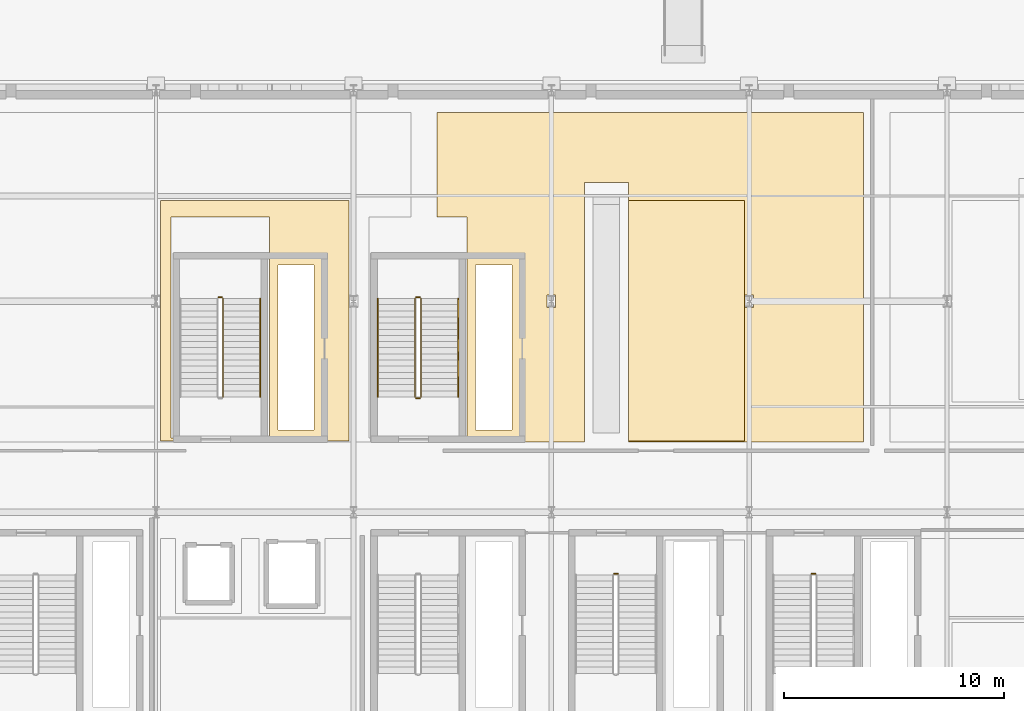
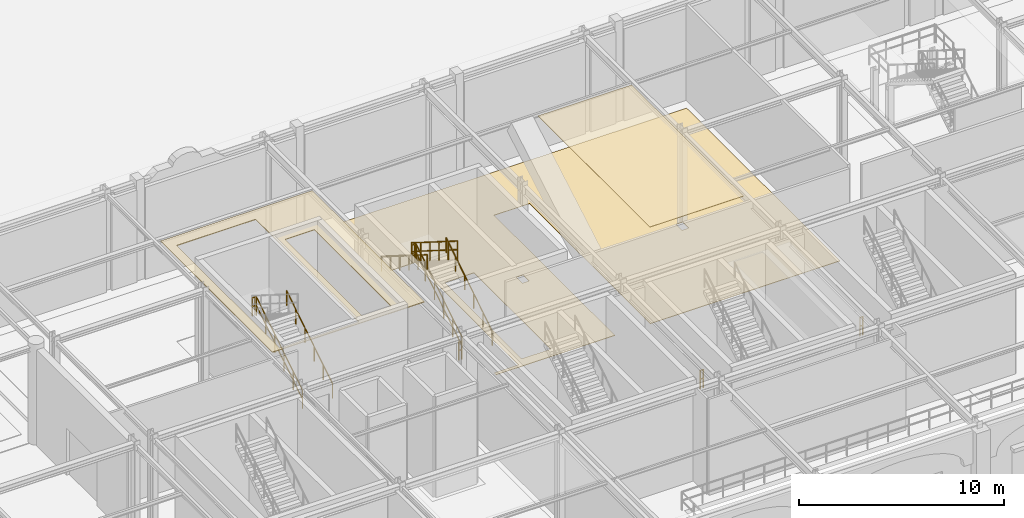
# One storey, part 101 of 113: 11 railings, 3 coverings.
"""IFC4 building model written with IfcOpenShell, lengths in metres."""

from ifc_helpers import new_model, si_unit, direction, frame, origin, origin_2d, place, context, subcontext, project, spatial, polyline, rectangle, outline, extrude, material, layer, layer_set, type_object, element, save


model = new_model("IFC4")

# Units and contexts
model_context = context("Model", 3, precision=1e-05, world=origin(), true_north=direction((0.0, 1.0)))
body_context = subcontext(model_context, "Body", "Model", "MODEL_VIEW")
ifc_project = project(units=[si_unit("LENGTHUNIT", "METRE"), si_unit("AREAUNIT", "SQUARE_METRE"), si_unit("VOLUMEUNIT", "CUBIC_METRE"), si_unit("PLANEANGLEUNIT", "RADIAN"), si_unit("MASSUNIT", "GRAM", prefix="KILO")], contexts=[model_context])

# Site, building, storey
site_placement = place(None, origin())
site = spatial("IfcSite", under=ifc_project, at=site_placement, CompositionType="ELEMENT")
building_placement = place(site_placement, origin())
building = spatial("IfcBuilding", under=site, at=building_placement, Name="Myrtia Square Station", CompositionType="ELEMENT")
storey_placement = place(building_placement, origin())
storey = spatial("IfcBuildingStorey", under=building, at=storey_placement, Name="L00", CompositionType="ELEMENT", Elevation=0.0)

# Coverings
ifc_material_1 = material(Name="Gypsum plasterboard")
ifc_layer_1 = layer(ifc_material_1, 0.034912109375, Name="Gypsum plasterboard")
ifc_layer_set_1 = layer_set([ifc_layer_1], Name="Gypsum plasterboard")
covering_type_1 = type_object("IfcCoveringType", Name="COV-CEIL-ACOUSTIC", PredefinedType="CEILING", material=ifc_layer_set_1)
covering_1_placement = place(storey_placement, frame((0.0, 0.0, 5.715087890625)))
element("IfcCovering", 1, at=covering_1_placement, inside=storey, type_object=covering_type_1, Name="Acoustic coffer ceiling L00-10", PredefinedType="CEILING", context=body_context, shape_type="SweptSolid", body=[
    extrude(outline(polyline([(147.5, 22.449951171875), (147.5, 33.3798828125), (152.780029296875, 33.3798828125), (152.780029296875, 28.85009765625), (152.781005859375, 28.828369140625), (152.7841796875, 28.80712890625), (152.785888671875, 28.800048828125), (152.7841796875, 28.79296875), (152.781005859375, 28.771484375), (152.780029296875, 28.75), (152.780029296875, 22.449951171875), (147.5, 22.449951171875)])), origin(), (0.0, 0.0, 1.0), 0.034912109375),
])
ifc_material_2 = material(Name="Acoustic European oak timber", Category="wood")
ifc_layer_2 = layer(ifc_material_2, 0.044921875, Name="Acoustic European oak timber")
ifc_layer_set_2 = layer_set([ifc_layer_2], Name="Acoustic European oak timber")
covering_type_2 = type_object("IfcCoveringType", Name="COV-CEIL-OAK", PredefinedType="CEILING", material=ifc_layer_set_2)
covering_2_placement = place(storey_placement, frame((0.0, 0.0, 5.705078125)))
element("IfcCovering", 2, at=covering_2_placement, inside=storey, type_object=covering_type_2, Name="Acoustic coffer ceiling L00-09", PredefinedType="CEILING", context=body_context, shape_type="SweptSolid", body=[
    extrude(outline(polyline([(126.219970703125, 22.449951171875), (126.219970703125, 28.75), (126.218994140625, 28.771484375), (126.2158203125, 28.79296875), (126.214111328125, 28.800048828125), (126.2158203125, 28.80712890625), (126.218994140625, 28.828369140625), (126.219970703125, 28.85009765625), (126.219970703125, 33.3798828125), (134.780029296875, 33.3798828125), (134.780029296875, 28.85009765625), (134.781005859375, 28.828369140625), (134.7841796875, 28.80712890625), (134.785888671875, 28.800048828125), (134.7841796875, 28.79296875), (134.781005859375, 28.771484375), (134.780029296875, 28.75), (134.780029296875, 22.449951171875), (126.219970703125, 22.449951171875)]), holes=[polyline([(131.550048828125, 30.449951171875), (131.550048828125, 22.949951171875), (133.199951171875, 22.949951171875), (133.199951171875, 30.449951171875), (131.550048828125, 30.449951171875)]), polyline([(131.159912109375, 32.64990234375), (126.699951171875, 32.64990234375), (126.699951171875, 22.580078125), (131.159912109375, 22.580078125), (131.159912109375, 32.64990234375)])]), origin(), (0.0, 0.0, 1.0), 0.044921875),
])
ifc_material_3 = material(Name="Terrazzo stone tile", Category="masonry")
ifc_layer_3 = layer(ifc_material_3, 0.02490234375, Name="Terrazzo stone tile")
ifc_layer_set_3 = layer_set([ifc_layer_3], Name="Terrazzo stone tile")
covering_type_3 = type_object("IfcCoveringType", Name="COV-FLR-TERRAZZO", PredefinedType="FLOORING", material=ifc_layer_set_3)
covering_3_placement = place(storey_placement, origin())
element("IfcCovering", 3, at=covering_3_placement, inside=storey, type_object=covering_type_3, Name="Terrazzo room flooring L00-10", PredefinedType="FLOORING", context=body_context, shape_type="SweptSolid", body=[
    extrude(outline(polyline([(158.199951171875, 37.39990234375), (158.199951171875, 22.39990234375), (147.5, 22.39990234375), (147.5, 34.199951171875), (145.5, 34.199951171875), (145.5, 22.39990234375), (138.800048828125, 22.39990234375), (138.800048828125, 22.580078125), (140.159912109375, 22.580078125), (140.159912109375, 32.64990234375), (138.800048828125, 32.64990234375), (138.800048828125, 37.39990234375), (158.199951171875, 37.39990234375)]), holes=[polyline([(140.550048828125, 30.449951171875), (140.550048828125, 22.949951171875), (142.199951171875, 22.949951171875), (142.199951171875, 30.449951171875), (140.550048828125, 30.449951171875)]), polyline([(144.18994140625, 29.090087890625), (143.81005859375, 29.090087890625), (143.81005859375, 28.510009765625), (144.18994140625, 28.510009765625), (144.18994140625, 29.090087890625)]), polyline([(153.18994140625, 28.510009765625), (153.18994140625, 29.090087890625), (152.81005859375, 29.090087890625), (152.81005859375, 28.510009765625), (153.18994140625, 28.510009765625)])]), origin(), (0.0, 0.0, 1.0), 0.02490234375),
])

# Railings
ifc_material_4 = material(Name="Dark bronze anodised aluminium", Category="aluminium")
railing_type_1 = type_object("IfcRailingType", Name="RL-HANDRAIL-900", PredefinedType="HANDRAIL", material=ifc_material_4)
railing_1_placement = place(storey_placement, frame((139.760009765625, 24.449951171875, 0.176513671875)))
element("IfcRailing", 4, at=railing_1_placement, inside=storey, type_object=railing_type_1, Name="L00 ST09 stair handrail 1", PredefinedType="HANDRAIL", context=body_context, shape_type="SweptSolid", body=[
    extrude(rectangle(XDim=0.048095703125, YDim=0.048095703125, at=origin_2d()), frame((0.0, 0.029296875, 0.894287109375), z_axis=(0.0, 0.845997938375, 0.533186166611), x_axis=(-1.0, 0.0, 0.0)), (0.0, 0.0, 1.0), 0.98974609375),
    extrude(rectangle(XDim=0.048095703125, YDim=0.048095703125, at=origin_2d()), frame((0.0, 0.92529296875, 1.458984375), z_axis=(0.0, 0.845997938375, 0.533186166611), x_axis=(-1.0, 0.0, 0.0)), (0.0, 0.0, 1.0), 0.98974609375),
    extrude(rectangle(XDim=0.048095703125, YDim=0.048095703125, at=origin_2d()), frame((0.0, 1.8212890625, 2.023681640625), z_axis=(0.0, 0.845997938375, 0.533186166611), x_axis=(-1.0, 0.0, 0.0)), (0.0, 0.0, 1.0), 0.98974609375),
    extrude(rectangle(XDim=0.048095703125, YDim=0.048095703125, at=origin_2d()), frame((0.0, 2.71728515625, 2.58837890625), z_axis=(0.0, 0.845997938375, 0.533186166611), x_axis=(-1.0, 0.0, 0.0)), (0.0, 0.0, 1.0), 0.98974609375),
    extrude(rectangle(XDim=0.048095703125, YDim=0.048095703125, at=origin_2d()), frame((0.0, 3.61328125, 3.153076171875), z_axis=(0.0, 0.845997938375, 0.533186166611), x_axis=(-1.0, 0.0, 0.0)), (0.0, 0.0, 1.0), 0.98974609375),
    extrude(rectangle(XDim=0.0439453125, YDim=0.0439453125, at=origin_2d()), origin(), (0.0, 0.0, 1.0), 0.89990234375),
    extrude(rectangle(XDim=0.0439453125, YDim=0.0439453125, at=origin_2d()), frame((0.0, 0.89599609375, 0.564697265625)), (0.0, 0.0, 1.0), 0.89990234375),
    extrude(rectangle(XDim=0.0439453125, YDim=0.0439453125, at=origin_2d()), frame((0.0, 1.7919921875, 1.12939453125)), (0.0, 0.0, 1.0), 0.89990234375),
    extrude(rectangle(XDim=0.0439453125, YDim=0.0439453125, at=origin_2d()), frame((0.0, 2.68798828125, 1.694091796875)), (0.0, 0.0, 1.0), 0.89990234375),
    extrude(rectangle(XDim=0.0439453125, YDim=0.0439453125, at=origin_2d()), frame((0.0, 3.583984375, 2.2587890625)), (0.0, 0.0, 1.0), 0.89990234375),
    extrude(rectangle(XDim=0.0439453125, YDim=0.0439453125, at=origin_2d()), frame((0.0, 4.47998046875, 2.823486328125)), (0.0, 0.0, 1.0), 0.89990234375),
])
railing_2_placement = place(storey_placement, frame((136.10009765625, 28.929931640625, 3.176513671875)))
element("IfcRailing", 5, at=railing_2_placement, inside=storey, type_object=railing_type_1, Name="L00 ST09 stair handrail 2", PredefinedType="HANDRAIL", context=body_context, shape_type="SweptSolid", body=[
    extrude(rectangle(XDim=0.048095703125, YDim=0.048095703125, at=origin_2d()), frame((0.0, -0.029296875, 0.894287109375), z_axis=(0.0, -0.845997938375, 0.533186166611), x_axis=(1.0, 0.0, 0.0)), (0.0, 0.0, 1.0), 0.98974609375),
    extrude(rectangle(XDim=0.048095703125, YDim=0.048095703125, at=origin_2d()), frame((0.0, -0.92529296875, 1.458984375), z_axis=(0.0, -0.845997938375, 0.533186166611), x_axis=(1.0, 0.0, 0.0)), (0.0, 0.0, 1.0), 0.98974609375),
    extrude(rectangle(XDim=0.048095703125, YDim=0.048095703125, at=origin_2d()), frame((0.0, -1.8212890625, 2.023681640625), z_axis=(0.0, -0.845997938375, 0.533186166611), x_axis=(1.0, 0.0, 0.0)), (0.0, 0.0, 1.0), 0.98974609375),
    extrude(rectangle(XDim=0.048095703125, YDim=0.048095703125, at=origin_2d()), frame((0.0, -2.71728515625, 2.58837890625), z_axis=(0.0, -0.845997938375, 0.533186166611), x_axis=(1.0, 0.0, 0.0)), (0.0, 0.0, 1.0), 0.98974609375),
    extrude(rectangle(XDim=0.048095703125, YDim=0.048095703125, at=origin_2d()), frame((0.0, -3.61328125, 3.153076171875), z_axis=(0.0, -0.845997938375, 0.533186166611), x_axis=(1.0, 0.0, 0.0)), (0.0, 0.0, 1.0), 0.98974609375),
    extrude(rectangle(XDim=0.0439453125, YDim=0.0439453125, at=origin_2d()), origin(), (0.0, 0.0, 1.0), 0.89990234375),
    extrude(rectangle(XDim=0.0439453125, YDim=0.0439453125, at=origin_2d()), frame((0.0, -0.89599609375, 0.564697265625)), (0.0, 0.0, 1.0), 0.89990234375),
    extrude(rectangle(XDim=0.0439453125, YDim=0.0439453125, at=origin_2d()), frame((0.0, -1.7919921875, 1.12939453125)), (0.0, 0.0, 1.0), 0.89990234375),
    extrude(rectangle(XDim=0.0439453125, YDim=0.0439453125, at=origin_2d()), frame((0.0, -2.68798828125, 1.694091796875)), (0.0, 0.0, 1.0), 0.89990234375),
    extrude(rectangle(XDim=0.0439453125, YDim=0.0439453125, at=origin_2d()), frame((0.0, -3.583984375, 2.2587890625)), (0.0, 0.0, 1.0), 0.89990234375),
    extrude(rectangle(XDim=0.0439453125, YDim=0.0439453125, at=origin_2d()), frame((0.0, -4.47998046875, 2.823486328125)), (0.0, 0.0, 1.0), 0.89990234375),
])
railing_3_placement = place(storey_placement, frame((130.760009765625, 24.449951171875, 0.176513671875)))
element("IfcRailing", 6, at=railing_3_placement, inside=storey, type_object=railing_type_1, Name="L00 ST10 stair handrail 1", PredefinedType="HANDRAIL", context=body_context, shape_type="SweptSolid", body=[
    extrude(rectangle(XDim=0.048095703125, YDim=0.048095703125, at=origin_2d()), frame((0.0, 0.029296875, 0.894287109375), z_axis=(0.0, 0.845997938375, 0.533186166611), x_axis=(-1.0, 0.0, 0.0)), (0.0, 0.0, 1.0), 0.98974609375),
    extrude(rectangle(XDim=0.048095703125, YDim=0.048095703125, at=origin_2d()), frame((0.0, 0.92529296875, 1.458984375), z_axis=(0.0, 0.845997938375, 0.533186166611), x_axis=(-1.0, 0.0, 0.0)), (0.0, 0.0, 1.0), 0.98974609375),
    extrude(rectangle(XDim=0.048095703125, YDim=0.048095703125, at=origin_2d()), frame((0.0, 1.8212890625, 2.023681640625), z_axis=(0.0, 0.845997938375, 0.533186166611), x_axis=(-1.0, 0.0, 0.0)), (0.0, 0.0, 1.0), 0.98974609375),
    extrude(rectangle(XDim=0.048095703125, YDim=0.048095703125, at=origin_2d()), frame((0.0, 2.71728515625, 2.58837890625), z_axis=(0.0, 0.845997938375, 0.533186166611), x_axis=(-1.0, 0.0, 0.0)), (0.0, 0.0, 1.0), 0.98974609375),
    extrude(rectangle(XDim=0.048095703125, YDim=0.048095703125, at=origin_2d()), frame((0.0, 3.61328125, 3.153076171875), z_axis=(0.0, 0.845997938375, 0.533186166611), x_axis=(-1.0, 0.0, 0.0)), (0.0, 0.0, 1.0), 0.98974609375),
    extrude(rectangle(XDim=0.0439453125, YDim=0.0439453125, at=origin_2d()), origin(), (0.0, 0.0, 1.0), 0.89990234375),
    extrude(rectangle(XDim=0.0439453125, YDim=0.0439453125, at=origin_2d()), frame((0.0, 0.89599609375, 0.564697265625)), (0.0, 0.0, 1.0), 0.89990234375),
    extrude(rectangle(XDim=0.0439453125, YDim=0.0439453125, at=origin_2d()), frame((0.0, 1.7919921875, 1.12939453125)), (0.0, 0.0, 1.0), 0.89990234375),
    extrude(rectangle(XDim=0.0439453125, YDim=0.0439453125, at=origin_2d()), frame((0.0, 2.68798828125, 1.694091796875)), (0.0, 0.0, 1.0), 0.89990234375),
    extrude(rectangle(XDim=0.0439453125, YDim=0.0439453125, at=origin_2d()), frame((0.0, 3.583984375, 2.2587890625)), (0.0, 0.0, 1.0), 0.89990234375),
    extrude(rectangle(XDim=0.0439453125, YDim=0.0439453125, at=origin_2d()), frame((0.0, 4.47998046875, 2.823486328125)), (0.0, 0.0, 1.0), 0.89990234375),
])
ifc_material_5 = material(Name="Wrought iron", Category="steel")
railing_type_2 = type_object("IfcRailingType", Name="RL-INT-GUARD-1100", PredefinedType="BALUSTRADE", material=ifc_material_5)
railing_4_placement = place(storey_placement, frame((138.06005859375, 24.449951171875, 0.176513671875)))
element("IfcRailing", 7, at=railing_4_placement, inside=storey, type_object=railing_type_2, Name="L00 ST09 stair guard 1", PredefinedType="BALUSTRADE", context=body_context, shape_type="SweptSolid", body=[
    extrude(rectangle(XDim=0.048095703125, YDim=0.048095703125, at=origin_2d()), frame((0.0, 0.029296875, 1.114501953125), z_axis=(0.0, 0.845997938375, 0.533186166611), x_axis=(-1.0, 0.0, 0.0)), (0.0, 0.0, 1.0), 0.98974609375),
    extrude(rectangle(XDim=0.048095703125, YDim=0.048095703125, at=origin_2d()), frame((0.0, 0.029296875, 0.600830078125), z_axis=(0.0, 0.845997938375, 0.533186166611), x_axis=(-1.0, 0.0, 0.0)), (0.0, 0.0, 1.0), 0.98974609375),
    extrude(rectangle(XDim=0.048095703125, YDim=0.048095703125, at=origin_2d()), frame((0.0, 0.92529296875, 1.67919921875), z_axis=(0.0, 0.845997938375, 0.533186166611), x_axis=(-1.0, 0.0, 0.0)), (0.0, 0.0, 1.0), 0.98974609375),
    extrude(rectangle(XDim=0.048095703125, YDim=0.048095703125, at=origin_2d()), frame((0.0, 0.92529296875, 1.16552734375), z_axis=(0.0, 0.845997938375, 0.533186166611), x_axis=(-1.0, 0.0, 0.0)), (0.0, 0.0, 1.0), 0.98974609375),
    extrude(rectangle(XDim=0.048095703125, YDim=0.048095703125, at=origin_2d()), frame((0.0, 1.8212890625, 2.243896484375), z_axis=(0.0, 0.845997938375, 0.533186166611), x_axis=(-1.0, 0.0, 0.0)), (0.0, 0.0, 1.0), 0.98974609375),
    extrude(rectangle(XDim=0.048095703125, YDim=0.048095703125, at=origin_2d()), frame((0.0, 1.8212890625, 1.730224609375), z_axis=(0.0, 0.845997938375, 0.533186166611), x_axis=(-1.0, 0.0, 0.0)), (0.0, 0.0, 1.0), 0.98974609375),
    extrude(rectangle(XDim=0.048095703125, YDim=0.048095703125, at=origin_2d()), frame((0.0, 2.71728515625, 2.80859375), z_axis=(0.0, 0.845997938375, 0.533186166611), x_axis=(-1.0, 0.0, 0.0)), (0.0, 0.0, 1.0), 0.98974609375),
    extrude(rectangle(XDim=0.048095703125, YDim=0.048095703125, at=origin_2d()), frame((0.0, 2.71728515625, 2.294921875), z_axis=(0.0, 0.845997938375, 0.533186166611), x_axis=(-1.0, 0.0, 0.0)), (0.0, 0.0, 1.0), 0.98974609375),
    extrude(rectangle(XDim=0.048095703125, YDim=0.048095703125, at=origin_2d()), frame((0.0, 3.61328125, 3.373291015625), z_axis=(0.0, 0.845997938375, 0.533186166611), x_axis=(-1.0, 0.0, 0.0)), (0.0, 0.0, 1.0), 0.98974609375),
    extrude(rectangle(XDim=0.048095703125, YDim=0.048095703125, at=origin_2d()), frame((0.0, 3.61328125, 2.859619140625), z_axis=(0.0, 0.845997938375, 0.533186166611), x_axis=(-1.0, 0.0, 0.0)), (0.0, 0.0, 1.0), 0.98974609375),
    extrude(rectangle(XDim=0.0439453125, YDim=0.0439453125, at=origin_2d()), origin(), (0.0, 0.0, 1.0), 1.1201171875),
    extrude(rectangle(XDim=0.0439453125, YDim=0.0439453125, at=origin_2d()), frame((0.0, 0.89599609375, 0.564697265625)), (0.0, 0.0, 1.0), 1.1201171875),
    extrude(rectangle(XDim=0.0439453125, YDim=0.0439453125, at=origin_2d()), frame((0.0, 1.7919921875, 1.12939453125)), (0.0, 0.0, 1.0), 1.1201171875),
    extrude(rectangle(XDim=0.0439453125, YDim=0.0439453125, at=origin_2d()), frame((0.0, 2.68798828125, 1.694091796875)), (0.0, 0.0, 1.0), 1.1201171875),
    extrude(rectangle(XDim=0.0439453125, YDim=0.0439453125, at=origin_2d()), frame((0.0, 3.583984375, 2.2587890625)), (0.0, 0.0, 1.0), 1.1201171875),
    extrude(rectangle(XDim=0.0439453125, YDim=0.0439453125, at=origin_2d()), frame((0.0, 4.47998046875, 2.823486328125)), (0.0, 0.0, 1.0), 1.1201171875),
])
railing_5_placement = place(storey_placement, frame((138.010009765625, 28.97998046875, 3.0)))
element("IfcRailing", 8, at=railing_5_placement, inside=storey, type_object=railing_type_2, Name="L00 ST09 stair guard 2", PredefinedType="BALUSTRADE", context=body_context, shape_type="SweptSolid", body=[
    extrude(rectangle(XDim=0.048095703125, YDim=0.048095703125, at=origin_2d()), frame((-0.03466796875, 0.0, 1.09619140625), z_axis=(-1.0, 0.0, 0.0), x_axis=(0.0, -1.0, 0.0)), (0.0, 0.0, 1.0), 0.090576171875),
    extrude(rectangle(XDim=0.048095703125, YDim=0.048095703125, at=origin_2d()), frame((-0.03466796875, 0.0, 0.58251953125), z_axis=(-1.0, 0.0, 0.0), x_axis=(0.0, -1.0, 0.0)), (0.0, 0.0, 1.0), 0.090576171875),
    extrude(rectangle(XDim=0.0439453125, YDim=0.0439453125, at=origin_2d()), origin(), (0.0, 0.0, 1.0), 1.1201171875),
    extrude(rectangle(XDim=0.0439453125, YDim=0.0439453125, at=origin_2d()), frame((-0.159912109375, 0.0, 0.0)), (0.0, 0.0, 1.0), 1.1201171875),
])
railing_6_placement = place(storey_placement, frame((137.800048828125, 28.929931640625, 3.176513671875)))
element("IfcRailing", 9, at=railing_6_placement, inside=storey, type_object=railing_type_2, Name="L00 ST09 stair guard 3", PredefinedType="BALUSTRADE", context=body_context, shape_type="SweptSolid", body=[
    extrude(rectangle(XDim=0.048095703125, YDim=0.048095703125, at=origin_2d()), frame((0.0, -0.029296875, 1.114501953125), z_axis=(0.0, -0.845997938375, 0.533186166611), x_axis=(1.0, 0.0, 0.0)), (0.0, 0.0, 1.0), 0.98974609375),
    extrude(rectangle(XDim=0.048095703125, YDim=0.048095703125, at=origin_2d()), frame((0.0, -0.029296875, 0.600830078125), z_axis=(0.0, -0.845997938375, 0.533186166611), x_axis=(1.0, 0.0, 0.0)), (0.0, 0.0, 1.0), 0.98974609375),
    extrude(rectangle(XDim=0.048095703125, YDim=0.048095703125, at=origin_2d()), frame((0.0, -0.92529296875, 1.67919921875), z_axis=(0.0, -0.845997938375, 0.533186166611), x_axis=(1.0, 0.0, 0.0)), (0.0, 0.0, 1.0), 0.98974609375),
    extrude(rectangle(XDim=0.048095703125, YDim=0.048095703125, at=origin_2d()), frame((0.0, -0.92529296875, 1.16552734375), z_axis=(0.0, -0.845997938375, 0.533186166611), x_axis=(1.0, 0.0, 0.0)), (0.0, 0.0, 1.0), 0.98974609375),
    extrude(rectangle(XDim=0.048095703125, YDim=0.048095703125, at=origin_2d()), frame((0.0, -1.8212890625, 2.243896484375), z_axis=(0.0, -0.845997938375, 0.533186166611), x_axis=(1.0, 0.0, 0.0)), (0.0, 0.0, 1.0), 0.98974609375),
    extrude(rectangle(XDim=0.048095703125, YDim=0.048095703125, at=origin_2d()), frame((0.0, -1.8212890625, 1.730224609375), z_axis=(0.0, -0.845997938375, 0.533186166611), x_axis=(1.0, 0.0, 0.0)), (0.0, 0.0, 1.0), 0.98974609375),
    extrude(rectangle(XDim=0.048095703125, YDim=0.048095703125, at=origin_2d()), frame((0.0, -2.71728515625, 2.80859375), z_axis=(0.0, -0.845997938375, 0.533186166611), x_axis=(1.0, 0.0, 0.0)), (0.0, 0.0, 1.0), 0.98974609375),
    extrude(rectangle(XDim=0.048095703125, YDim=0.048095703125, at=origin_2d()), frame((0.0, -2.71728515625, 2.294921875), z_axis=(0.0, -0.845997938375, 0.533186166611), x_axis=(1.0, 0.0, 0.0)), (0.0, 0.0, 1.0), 0.98974609375),
    extrude(rectangle(XDim=0.048095703125, YDim=0.048095703125, at=origin_2d()), frame((0.0, -3.61328125, 3.373291015625), z_axis=(0.0, -0.845997938375, 0.533186166611), x_axis=(1.0, 0.0, 0.0)), (0.0, 0.0, 1.0), 0.98974609375),
    extrude(rectangle(XDim=0.048095703125, YDim=0.048095703125, at=origin_2d()), frame((0.0, -3.61328125, 2.859619140625), z_axis=(0.0, -0.845997938375, 0.533186166611), x_axis=(1.0, 0.0, 0.0)), (0.0, 0.0, 1.0), 0.98974609375),
    extrude(rectangle(XDim=0.0439453125, YDim=0.0439453125, at=origin_2d()), origin(), (0.0, 0.0, 1.0), 1.1201171875),
    extrude(rectangle(XDim=0.0439453125, YDim=0.0439453125, at=origin_2d()), frame((0.0, -0.89599609375, 0.564697265625)), (0.0, 0.0, 1.0), 1.1201171875),
    extrude(rectangle(XDim=0.0439453125, YDim=0.0439453125, at=origin_2d()), frame((0.0, -1.7919921875, 1.12939453125)), (0.0, 0.0, 1.0), 1.1201171875),
    extrude(rectangle(XDim=0.0439453125, YDim=0.0439453125, at=origin_2d()), frame((0.0, -2.68798828125, 1.694091796875)), (0.0, 0.0, 1.0), 1.1201171875),
    extrude(rectangle(XDim=0.0439453125, YDim=0.0439453125, at=origin_2d()), frame((0.0, -3.583984375, 2.2587890625)), (0.0, 0.0, 1.0), 1.1201171875),
    extrude(rectangle(XDim=0.0439453125, YDim=0.0439453125, at=origin_2d()), frame((0.0, -4.47998046875, 2.823486328125)), (0.0, 0.0, 1.0), 1.1201171875),
])
railing_7_placement = place(storey_placement, frame((138.010009765625, 24.39990234375, 0.0)))
element("IfcRailing", 10, at=railing_7_placement, inside=storey, type_object=railing_type_2, Name="L00 ST09 stair guard 4", PredefinedType="BALUSTRADE", context=body_context, shape_type="SweptSolid", body=[
    extrude(rectangle(XDim=0.048095703125, YDim=0.048095703125, at=origin_2d()), frame((-0.03466796875, 0.0, 1.09619140625), z_axis=(-1.0, 0.0, 0.0), x_axis=(0.0, -1.0, 0.0)), (0.0, 0.0, 1.0), 0.090576171875),
    extrude(rectangle(XDim=0.048095703125, YDim=0.048095703125, at=origin_2d()), frame((-0.03466796875, 0.0, 0.58251953125), z_axis=(-1.0, 0.0, 0.0), x_axis=(0.0, -1.0, 0.0)), (0.0, 0.0, 1.0), 0.090576171875),
    extrude(rectangle(XDim=0.0439453125, YDim=0.0439453125, at=origin_2d()), origin(), (0.0, 0.0, 1.0), 1.1201171875),
    extrude(rectangle(XDim=0.0439453125, YDim=0.0439453125, at=origin_2d()), frame((-0.159912109375, 0.0, 0.0)), (0.0, 0.0, 1.0), 1.1201171875),
])
railing_8_placement = place(storey_placement, frame((129.06005859375, 24.449951171875, 0.176513671875)))
element("IfcRailing", 11, at=railing_8_placement, inside=storey, type_object=railing_type_2, Name="L00 ST10 stair guard 1", PredefinedType="BALUSTRADE", context=body_context, shape_type="SweptSolid", body=[
    extrude(rectangle(XDim=0.048095703125, YDim=0.048095703125, at=origin_2d()), frame((0.0, 0.029296875, 1.114501953125), z_axis=(0.0, 0.845997938375, 0.533186166611), x_axis=(-1.0, 0.0, 0.0)), (0.0, 0.0, 1.0), 0.98974609375),
    extrude(rectangle(XDim=0.048095703125, YDim=0.048095703125, at=origin_2d()), frame((0.0, 0.029296875, 0.600830078125), z_axis=(0.0, 0.845997938375, 0.533186166611), x_axis=(-1.0, 0.0, 0.0)), (0.0, 0.0, 1.0), 0.98974609375),
    extrude(rectangle(XDim=0.048095703125, YDim=0.048095703125, at=origin_2d()), frame((0.0, 0.92529296875, 1.67919921875), z_axis=(0.0, 0.845997938375, 0.533186166611), x_axis=(-1.0, 0.0, 0.0)), (0.0, 0.0, 1.0), 0.98974609375),
    extrude(rectangle(XDim=0.048095703125, YDim=0.048095703125, at=origin_2d()), frame((0.0, 0.92529296875, 1.16552734375), z_axis=(0.0, 0.845997938375, 0.533186166611), x_axis=(-1.0, 0.0, 0.0)), (0.0, 0.0, 1.0), 0.98974609375),
    extrude(rectangle(XDim=0.048095703125, YDim=0.048095703125, at=origin_2d()), frame((0.0, 1.8212890625, 2.243896484375), z_axis=(0.0, 0.845997938375, 0.533186166611), x_axis=(-1.0, 0.0, 0.0)), (0.0, 0.0, 1.0), 0.98974609375),
    extrude(rectangle(XDim=0.048095703125, YDim=0.048095703125, at=origin_2d()), frame((0.0, 1.8212890625, 1.730224609375), z_axis=(0.0, 0.845997938375, 0.533186166611), x_axis=(-1.0, 0.0, 0.0)), (0.0, 0.0, 1.0), 0.98974609375),
    extrude(rectangle(XDim=0.048095703125, YDim=0.048095703125, at=origin_2d()), frame((0.0, 2.71728515625, 2.80859375), z_axis=(0.0, 0.845997938375, 0.533186166611), x_axis=(-1.0, 0.0, 0.0)), (0.0, 0.0, 1.0), 0.98974609375),
    extrude(rectangle(XDim=0.048095703125, YDim=0.048095703125, at=origin_2d()), frame((0.0, 2.71728515625, 2.294921875), z_axis=(0.0, 0.845997938375, 0.533186166611), x_axis=(-1.0, 0.0, 0.0)), (0.0, 0.0, 1.0), 0.98974609375),
    extrude(rectangle(XDim=0.048095703125, YDim=0.048095703125, at=origin_2d()), frame((0.0, 3.61328125, 3.373291015625), z_axis=(0.0, 0.845997938375, 0.533186166611), x_axis=(-1.0, 0.0, 0.0)), (0.0, 0.0, 1.0), 0.98974609375),
    extrude(rectangle(XDim=0.048095703125, YDim=0.048095703125, at=origin_2d()), frame((0.0, 3.61328125, 2.859619140625), z_axis=(0.0, 0.845997938375, 0.533186166611), x_axis=(-1.0, 0.0, 0.0)), (0.0, 0.0, 1.0), 0.98974609375),
    extrude(rectangle(XDim=0.0439453125, YDim=0.0439453125, at=origin_2d()), origin(), (0.0, 0.0, 1.0), 1.1201171875),
    extrude(rectangle(XDim=0.0439453125, YDim=0.0439453125, at=origin_2d()), frame((0.0, 0.89599609375, 0.564697265625)), (0.0, 0.0, 1.0), 1.1201171875),
    extrude(rectangle(XDim=0.0439453125, YDim=0.0439453125, at=origin_2d()), frame((0.0, 1.7919921875, 1.12939453125)), (0.0, 0.0, 1.0), 1.1201171875),
    extrude(rectangle(XDim=0.0439453125, YDim=0.0439453125, at=origin_2d()), frame((0.0, 2.68798828125, 1.694091796875)), (0.0, 0.0, 1.0), 1.1201171875),
    extrude(rectangle(XDim=0.0439453125, YDim=0.0439453125, at=origin_2d()), frame((0.0, 3.583984375, 2.2587890625)), (0.0, 0.0, 1.0), 1.1201171875),
    extrude(rectangle(XDim=0.0439453125, YDim=0.0439453125, at=origin_2d()), frame((0.0, 4.47998046875, 2.823486328125)), (0.0, 0.0, 1.0), 1.1201171875),
])
railing_9_placement = place(storey_placement, frame((129.010009765625, 28.97998046875, 3.0)))
element("IfcRailing", 12, at=railing_9_placement, inside=storey, type_object=railing_type_2, Name="L00 ST10 stair guard 2", PredefinedType="BALUSTRADE", context=body_context, shape_type="SweptSolid", body=[
    extrude(rectangle(XDim=0.048095703125, YDim=0.048095703125, at=origin_2d()), frame((-0.03466796875, 0.0, 1.09619140625), z_axis=(-1.0, 0.0, 0.0), x_axis=(0.0, -1.0, 0.0)), (0.0, 0.0, 1.0), 0.090576171875),
    extrude(rectangle(XDim=0.048095703125, YDim=0.048095703125, at=origin_2d()), frame((-0.03466796875, 0.0, 0.58251953125), z_axis=(-1.0, 0.0, 0.0), x_axis=(0.0, -1.0, 0.0)), (0.0, 0.0, 1.0), 0.090576171875),
    extrude(rectangle(XDim=0.0439453125, YDim=0.0439453125, at=origin_2d()), origin(), (0.0, 0.0, 1.0), 1.1201171875),
    extrude(rectangle(XDim=0.0439453125, YDim=0.0439453125, at=origin_2d()), frame((-0.159912109375, 0.0, 0.0)), (0.0, 0.0, 1.0), 1.1201171875),
])
for number, where, name in (
    (13, (146.85009765625, 16.39990234375, 0.0), "L00 ST11 stair guard 4"),
    (14, (155.85009765625, 16.39990234375, 0.0), "L00 ST14 stair guard 4"),
):
    element("IfcRailing", number, at=place(storey_placement, frame(where)), inside=storey, type_object=railing_type_2, Name=name, PredefinedType="BALUSTRADE", context=body_context, shape_type="SweptSolid", body=[
        extrude(rectangle(XDim=0.048095703125, YDim=0.048095703125, at=origin_2d()), frame((0.03466796875, 0.0, 1.09619140625), z_axis=(1.0, 0.0, 0.0), x_axis=(0.0, 1.0, 0.0)), (0.0, 0.0, 1.0), 0.090576171875),
        extrude(rectangle(XDim=0.048095703125, YDim=0.048095703125, at=origin_2d()), frame((0.03466796875, 0.0, 0.58251953125), z_axis=(1.0, 0.0, 0.0), x_axis=(0.0, 1.0, 0.0)), (0.0, 0.0, 1.0), 0.090576171875),
        extrude(rectangle(XDim=0.0439453125, YDim=0.0439453125, at=origin_2d()), origin(), (0.0, 0.0, 1.0), 1.1201171875),
        extrude(rectangle(XDim=0.0439453125, YDim=0.0439453125, at=origin_2d()), frame((0.159912109375, 0.0, 0.0)), (0.0, 0.0, 1.0), 1.1201171875),
    ])

save(model, "model.ifc")
